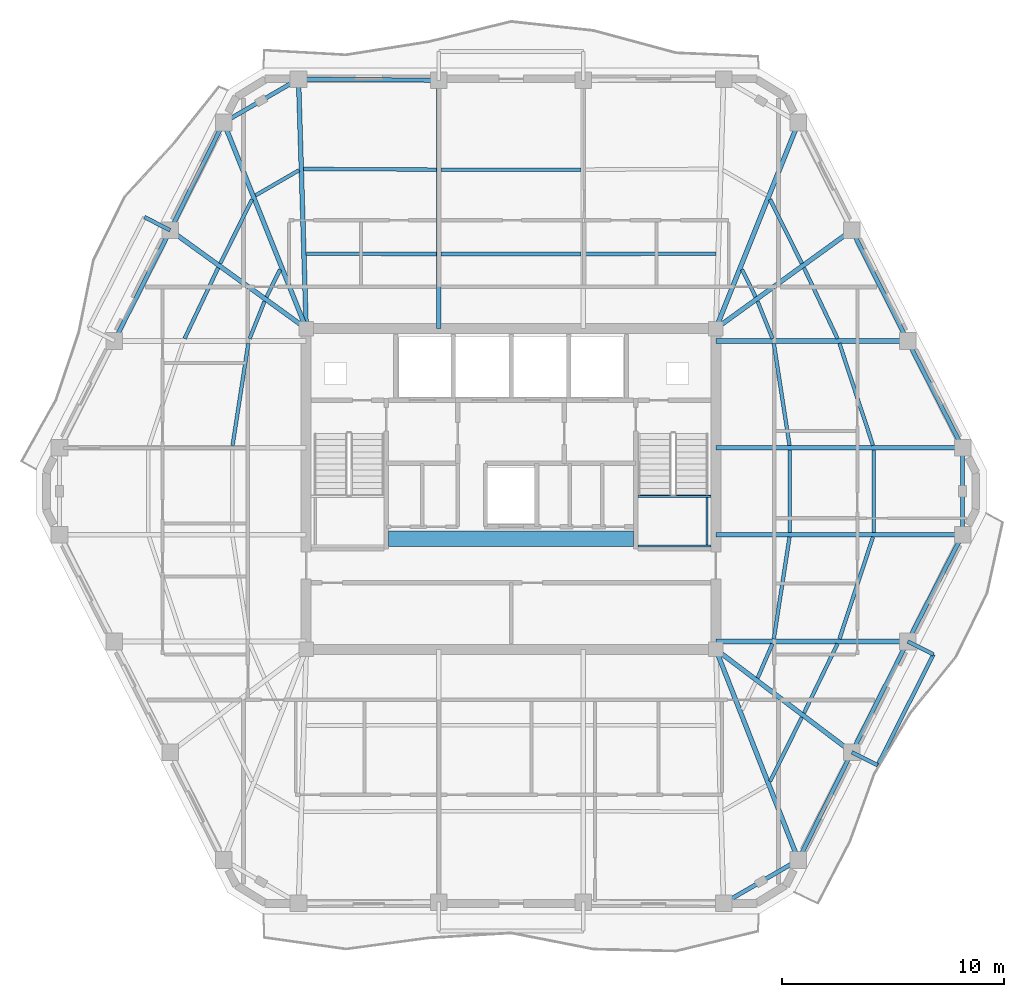
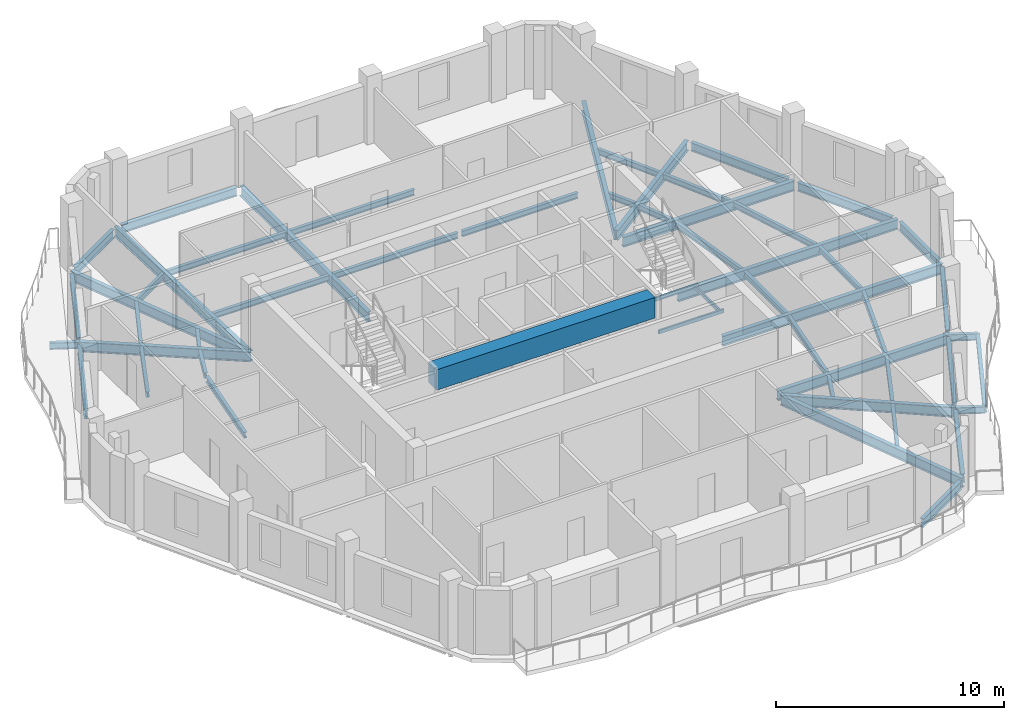
# One storey, part 2 of 11: 55 beams.
"""IFC4 building model written with IfcOpenShell, lengths in metres."""

from ifc_helpers import new_model, si_unit, direction, frame, origin, origin_2d, place, context, subcontext, project, spatial, rectangle, hollow_rectangle, i_section, extrude, material, material_profile, profile_set, type_object, element, save


model = new_model("IFC4")

# Units and contexts
model_context = context("Model", 3, precision=1e-05, world=origin(), true_north=direction((0.0, 1.0)))
body_context = subcontext(model_context, "Body", "Model", "MODEL_VIEW")
ifc_project = project(units=[si_unit("LENGTHUNIT", "METRE"), si_unit("AREAUNIT", "SQUARE_METRE"), si_unit("VOLUMEUNIT", "CUBIC_METRE"), si_unit("PLANEANGLEUNIT", "RADIAN"), si_unit("MASSUNIT", "GRAM", prefix="KILO")], contexts=[model_context])

# Site, building, storey
site_placement = place(None, origin())
site = spatial("IfcSite", under=ifc_project, at=site_placement, CompositionType="ELEMENT")
building_placement = place(site_placement, origin())
building = spatial("IfcBuilding", under=site, at=building_placement, Name="Cinnabar Lancet Tower", CompositionType="ELEMENT")
storey_placement = place(building_placement, frame((0.0, 0.0, 230.64990234375)))
storey = spatial("IfcBuildingStorey", under=building, at=storey_placement, Name="L61", CompositionType="ELEMENT", Elevation=230.64990234375)

# Beams
ifc_material_1 = material(Name="Concrete C70/85", Category="concrete")
ifc_material_profile_1 = material_profile(ifc_material_1, rectangle(XDim=0.699951171875, YDim=1.10009765625, at=origin_2d()), Name="RC-CB 700x1100")
ifc_profile_set_1 = profile_set([ifc_material_profile_1], Name="Concrete C70/85")
beam_type_1 = type_object("IfcBeamType", Name="STR-BM-CB-1100", PredefinedType="BEAM", material=ifc_profile_set_1)
beam_1_placement = place(storey_placement, frame((26.8798828125, 23.64990234375, 2.900146484375), z_axis=(1.0, 0.0, 0.0), x_axis=(0.0, 1.0, 0.0)))
element("IfcBeam", 1, at=beam_1_placement, inside=storey, type_object=beam_type_1, Name="L61 Core Coupling Beam", PredefinedType="BEAM", context=body_context, shape_type="SweptSolid", body=[
    extrude(rectangle(XDim=0.699951171875, YDim=1.10009765625, at=origin_2d()), origin(), (0.0, 0.0, 1.0), 11.0400390625),
])
ifc_material_2 = material(Name="Structural steel S355", Category="steel")
ifc_material_profile_2 = material_profile(ifc_material_2, i_section(OverallWidth=0.1650390625, OverallDepth=0.303466796875, WebThickness=0.006103515625, FlangeThickness=0.01025390625, FilletRadius=0.0087890625, at=origin_2d()), Name="UKB 305x165x40")
ifc_profile_set_2 = profile_set([ifc_material_profile_2], Name="Structural steel S355")
beam_type_2 = type_object("IfcBeamType", Name="STR-BM-JST-305", PredefinedType="JOIST", material=ifc_profile_set_2)
beam_2_placement = place(storey_placement, frame((44.06591796875, 12.73193359375, -0.351806640625), z_axis=(0.444391284604, 0.895832789179, 0.0), x_axis=(-0.895832789179, 0.444391284604, 0.0)))
element("IfcBeam", 2, at=beam_2_placement, inside=storey, type_object=beam_type_2, Name="L61 Secondary Floor Joist 15", PredefinedType="JOIST", context=body_context, shape_type="SweptSolid", body=[
    extrude(i_section(OverallWidth=0.1650390625, OverallDepth=0.303466796875, WebThickness=0.006103515625, FlangeThickness=0.01025390625, FilletRadius=0.0087890625, at=origin_2d()), origin(), (0.0, 0.0, 1.0), 3.220458984375),
])
beam_3_placement = place(storey_placement, frame((45.591064453125, 15.80810546875, -0.351806640625), z_axis=(0.43610936109, 0.899893674369, 0.0), x_axis=(-0.899893674369, 0.43610936109, 0.0)))
element("IfcBeam", 3, at=beam_3_placement, inside=storey, type_object=beam_type_2, Name="L61 Secondary Floor Joist 17", PredefinedType="JOIST", context=body_context, shape_type="SweptSolid", body=[
    extrude(i_section(OverallWidth=0.1650390625, OverallDepth=0.303466796875, WebThickness=0.006103515625, FlangeThickness=0.01025390625, FilletRadius=0.0087890625, at=origin_2d()), origin(), (0.0, 0.0, 1.0), 3.467041015625),
])
beam_4_placement = place(storey_placement, frame((43.5048828125, 17.385009765625, -0.351806640625), z_axis=(0.396302440144, 0.91812002262, 0.0), x_axis=(-0.91812002262, 0.396302440144, 0.0)))
element("IfcBeam", 4, at=beam_4_placement, inside=storey, type_object=beam_type_2, Name="L61 Secondary Floor Joist 18", PredefinedType="JOIST", context=body_context, shape_type="SweptSolid", body=[
    extrude(i_section(OverallWidth=0.1650390625, OverallDepth=0.303466796875, WebThickness=0.006103515625, FlangeThickness=0.01025390625, FilletRadius=0.0087890625, at=origin_2d()), origin(), (0.0, 0.0, 1.0), 1.6806640625),
])
beam_5_placement = place(storey_placement, frame((47.18798828125, 19.137939453125, -0.351806640625), z_axis=(0.312491145371, 0.949920672512, 0.0), x_axis=(-0.949920672512, 0.312491145371, 0.0)))
element("IfcBeam", 5, at=beam_5_placement, inside=storey, type_object=beam_type_2, Name="L61 Secondary Floor Joist 19", PredefinedType="JOIST", context=body_context, shape_type="SweptSolid", body=[
    extrude(i_section(OverallWidth=0.1650390625, OverallDepth=0.303466796875, WebThickness=0.006103515625, FlangeThickness=0.01025390625, FilletRadius=0.0087890625, at=origin_2d()), origin(), (0.0, 0.0, 1.0), 4.8447265625),
])
beam_6_placement = place(storey_placement, frame((44.23291015625, 19.137939453125, -0.351806640625), z_axis=(0.152262059154, 0.988340156698, 0.0), x_axis=(-0.988340156698, 0.152262059154, 0.0)))
element("IfcBeam", 6, at=beam_6_placement, inside=storey, type_object=beam_type_2, Name="L61 Secondary Floor Joist 20", PredefinedType="JOIST", context=body_context, shape_type="SweptSolid", body=[
    extrude(i_section(OverallWidth=0.1650390625, OverallDepth=0.303466796875, WebThickness=0.006103515625, FlangeThickness=0.01025390625, FilletRadius=0.0087890625, at=origin_2d()), origin(), (0.0, 0.0, 1.0), 4.65625),
])
for number, where, z_axis, x_axis, name in (
    (7, (48.737060546875, 23.949951171875, -0.351806640625), (0.0, 1.0, 0.0), (-1.0, 0.0, 0.0), "L61 Secondary Floor Joist 21"),
    (8, (44.958984375, 23.949951171875, -0.351806640625), (0.0, 1.0, 0.0), (-1.0, 0.0, 0.0), "L61 Secondary Floor Joist 22"),
):
    element("IfcBeam", number, at=place(storey_placement, frame(where, z_axis=z_axis, x_axis=x_axis)), inside=storey, type_object=beam_type_2, Name=name, PredefinedType="JOIST", context=body_context, shape_type="SweptSolid", body=[
        extrude(i_section(OverallWidth=0.1650390625, OverallDepth=0.303466796875, WebThickness=0.006103515625, FlangeThickness=0.01025390625, FilletRadius=0.0087890625, at=origin_2d()), origin(), (0.0, 0.0, 1.0), 3.699951171875),
    ])
beam_7_placement = place(storey_placement, frame((48.701904296875, 27.860107421875, -0.351806640625), z_axis=(-0.312506104996, 0.94991575118, 0.0), x_axis=(-0.94991575118, -0.312506104996, 0.0)))
element("IfcBeam", 9, at=beam_7_placement, inside=storey, type_object=beam_type_2, Name="L61 Secondary Floor Joist 23", PredefinedType="JOIST", context=body_context, shape_type="SweptSolid", body=[
    extrude(i_section(OverallWidth=0.1650390625, OverallDepth=0.303466796875, WebThickness=0.006103515625, FlangeThickness=0.01025390625, FilletRadius=0.0087890625, at=origin_2d()), origin(), (0.0, 0.0, 1.0), 4.844482421875),
])
beam_8_placement = place(storey_placement, frame((44.94189453125, 27.860107421875, -0.351806640625), z_axis=(-0.152269949853, 0.988338941038, 0.0), x_axis=(-0.988338941038, -0.152269949853, 0.0)))
element("IfcBeam", 10, at=beam_8_placement, inside=storey, type_object=beam_type_2, Name="L61 Secondary Floor Joist 24", PredefinedType="JOIST", context=body_context, shape_type="SweptSolid", body=[
    extrude(i_section(OverallWidth=0.1650390625, OverallDepth=0.303466796875, WebThickness=0.006103515625, FlangeThickness=0.01025390625, FilletRadius=0.0087890625, at=origin_2d()), origin(), (0.0, 0.0, 1.0), 4.656005859375),
])
beam_9_placement = place(storey_placement, frame((47.10400390625, 32.672119140625, -0.351806640625), z_axis=(-0.428647868514, 0.903471640296, 0.0), x_axis=(-0.903471640296, -0.428647868514, 0.0)))
element("IfcBeam", 11, at=beam_9_placement, inside=storey, type_object=beam_type_2, Name="L61 Secondary Floor Joist 25", PredefinedType="JOIST", context=body_context, shape_type="SweptSolid", body=[
    extrude(i_section(OverallWidth=0.1650390625, OverallDepth=0.303466796875, WebThickness=0.006103515625, FlangeThickness=0.01025390625, FilletRadius=0.0087890625, at=origin_2d()), origin(), (0.0, 0.0, 1.0), 3.53173828125),
])
beam_10_placement = place(storey_placement, frame((44.175048828125, 32.672119140625, -0.351806640625), z_axis=(-0.37155332079, 0.928411616585, 0.0), x_axis=(-0.928411616585, -0.37155332079, 0.0)))
element("IfcBeam", 12, at=beam_10_placement, inside=storey, type_object=beam_type_2, Name="L61 Secondary Floor Joist 26", PredefinedType="JOIST", context=body_context, shape_type="SweptSolid", body=[
    extrude(i_section(OverallWidth=0.1650390625, OverallDepth=0.303466796875, WebThickness=0.006103515625, FlangeThickness=0.01025390625, FilletRadius=0.0087890625, at=origin_2d()), origin(), (0.0, 0.0, 1.0), 1.8115234375),
])
beam_11_placement = place(storey_placement, frame((45.4970703125, 36.054931640625, -0.351806640625), z_axis=(-0.44427059531, 0.895892648783, 0.0), x_axis=(-0.895892648783, -0.44427059531, 0.0)))
element("IfcBeam", 13, at=beam_11_placement, inside=storey, type_object=beam_type_2, Name="L61 Secondary Floor Joist 27", PredefinedType="JOIST", context=body_context, shape_type="SweptSolid", body=[
    extrude(i_section(OverallWidth=0.1650390625, OverallDepth=0.303466796875, WebThickness=0.006103515625, FlangeThickness=0.01025390625, FilletRadius=0.0087890625, at=origin_2d()), origin(), (0.0, 0.0, 1.0), 3.221435546875),
])
beam_12_placement = place(storey_placement, frame((43.4150390625, 34.549072265625, -0.351806640625), z_axis=(-0.444661746427, 0.895698571655, 0.0), x_axis=(-0.895698571655, -0.444661746427, 0.0)))
element("IfcBeam", 14, at=beam_12_placement, inside=storey, type_object=beam_type_2, Name="L61 Secondary Floor Joist 28", PredefinedType="JOIST", context=body_context, shape_type="SweptSolid", body=[
    extrude(i_section(OverallWidth=0.1650390625, OverallDepth=0.303466796875, WebThickness=0.006103515625, FlangeThickness=0.01025390625, FilletRadius=0.0087890625, at=origin_2d()), origin(), (0.0, 0.0, 1.0), 1.378662109375),
])
beam_13_placement = place(storey_placement, frame((41.6240234375, 36.49609375, -0.351806640625), z_axis=(-0.999996226008, -0.002747356738, 0.0), x_axis=(0.002747356738, -0.999996226008, 0.0)))
element("IfcBeam", 15, at=beam_13_placement, inside=storey, type_object=beam_type_2, Name="L61 Secondary Floor Joist 31", PredefinedType="JOIST", context=body_context, shape_type="SweptSolid", body=[
    extrude(i_section(OverallWidth=0.1650390625, OverallDepth=0.303466796875, WebThickness=0.006103515625, FlangeThickness=0.01025390625, FilletRadius=0.0087890625, at=origin_2d()), origin(), (0.0, 0.0, 1.0), 5.864990234375),
])
for number, where, z_axis, x_axis, name in (
    (16, (35.549072265625, 40.281982421875, -0.351806640625), (-1.0, 0.0, 0.0), (0.0, -1.0, 0.0), "L61 Secondary Floor Joist 32"),
    (17, (35.549072265625, 36.47998046875, -0.351806640625), (-1.0, 0.0, 0.0), (0.0, -1.0, 0.0), "L61 Secondary Floor Joist 33"),
):
    element("IfcBeam", number, at=place(storey_placement, frame(where, z_axis=z_axis, x_axis=x_axis)), inside=storey, type_object=beam_type_2, Name=name, PredefinedType="JOIST", context=body_context, shape_type="SweptSolid", body=[
        extrude(i_section(OverallWidth=0.1650390625, OverallDepth=0.303466796875, WebThickness=0.006103515625, FlangeThickness=0.01025390625, FilletRadius=0.0087890625, at=origin_2d()), origin(), (0.0, 0.0, 1.0), 6.298095703125),
    ])
beam_14_placement = place(storey_placement, frame((29.041015625, 40.282958984375, -0.351806640625), z_axis=(-0.999985712428, 0.005345553266, 0.0), x_axis=(-0.005345553266, -0.999985712428, 0.0)))
element("IfcBeam", 18, at=beam_14_placement, inside=storey, type_object=beam_type_2, Name="L61 Secondary Floor Joist 34", PredefinedType="JOIST", context=body_context, shape_type="SweptSolid", body=[
    extrude(i_section(OverallWidth=0.1650390625, OverallDepth=0.303466796875, WebThickness=0.006103515625, FlangeThickness=0.01025390625, FilletRadius=0.0087890625, at=origin_2d()), origin(), (0.0, 0.0, 1.0), 5.98291015625),
])
beam_15_placement = place(storey_placement, frame((29.041015625, 36.47998046875, -0.351806640625), z_axis=(-0.999996226008, 0.002747356738, 0.0), x_axis=(-0.002747356738, -0.999996226008, 0.0)))
element("IfcBeam", 19, at=beam_15_placement, inside=storey, type_object=beam_type_2, Name="L61 Secondary Floor Joist 35", PredefinedType="JOIST", context=body_context, shape_type="SweptSolid", body=[
    extrude(i_section(OverallWidth=0.1650390625, OverallDepth=0.303466796875, WebThickness=0.006103515625, FlangeThickness=0.01025390625, FilletRadius=0.0087890625, at=origin_2d()), origin(), (0.0, 0.0, 1.0), 5.864990234375),
])
beam_16_placement = place(storey_placement, frame((22.85009765625, 40.256103515625, -0.351806640625), z_axis=(-0.865426285481, -0.501036270542, 0.0), x_axis=(0.501036270542, -0.865426285481, 0.0)))
element("IfcBeam", 20, at=beam_16_placement, inside=storey, type_object=beam_type_2, Name="L61 Secondary Floor Joist 36", PredefinedType="JOIST", context=body_context, shape_type="SweptSolid", body=[
    extrude(i_section(OverallWidth=0.1650390625, OverallDepth=0.303466796875, WebThickness=0.006103515625, FlangeThickness=0.01025390625, FilletRadius=0.0087890625, at=origin_2d()), origin(), (0.0, 0.0, 1.0), 2.267333984375),
])
beam_17_placement = place(storey_placement, frame((20.73388671875, 38.94091796875, -0.351806640625), z_axis=(-0.444209762814, -0.89592281287, 0.0), x_axis=(0.89592281287, -0.444209762814, 0.0)))
element("IfcBeam", 21, at=beam_17_placement, inside=storey, type_object=beam_type_2, Name="L61 Secondary Floor Joist 37", PredefinedType="JOIST", context=body_context, shape_type="SweptSolid", body=[
    extrude(i_section(OverallWidth=0.1650390625, OverallDepth=0.303466796875, WebThickness=0.006103515625, FlangeThickness=0.01025390625, FilletRadius=0.0087890625, at=origin_2d()), origin(), (0.0, 0.0, 1.0), 3.22119140625),
])
beam_18_placement = place(storey_placement, frame((21.998046875, 35.783935546875, -0.351806640625), z_axis=(-0.444661746427, -0.895698571655, 0.0), x_axis=(0.895698571655, -0.444661746427, 0.0)))
element("IfcBeam", 22, at=beam_18_placement, inside=storey, type_object=beam_type_2, Name="L61 Secondary Floor Joist 38", PredefinedType="JOIST", context=body_context, shape_type="SweptSolid", body=[
    extrude(i_section(OverallWidth=0.1650390625, OverallDepth=0.303466796875, WebThickness=0.006103515625, FlangeThickness=0.01025390625, FilletRadius=0.0087890625, at=origin_2d()), origin(), (0.0, 0.0, 1.0), 1.378662109375),
])
beam_19_placement = place(storey_placement, frame((19.2099609375, 35.863037109375, -0.351806640625), z_axis=(-0.428647868514, -0.903471640296, 0.0), x_axis=(0.903471640296, -0.428647868514, 0.0)))
element("IfcBeam", 23, at=beam_19_placement, inside=storey, type_object=beam_type_2, Name="L61 Secondary Floor Joist 39", PredefinedType="JOIST", context=body_context, shape_type="SweptSolid", body=[
    extrude(i_section(OverallWidth=0.1650390625, OverallDepth=0.303466796875, WebThickness=0.006103515625, FlangeThickness=0.01025390625, FilletRadius=0.0087890625, at=origin_2d()), origin(), (0.0, 0.0, 1.0), 3.53173828125),
])
beam_20_placement = place(storey_placement, frame((21.298095703125, 34.35400390625, -0.351806640625), z_axis=(-0.37155332079, -0.928411616585, 0.0), x_axis=(0.928411616585, -0.37155332079, 0.0)))
element("IfcBeam", 24, at=beam_20_placement, inside=storey, type_object=beam_type_2, Name="L61 Secondary Floor Joist 40", PredefinedType="JOIST", context=body_context, shape_type="SweptSolid", body=[
    extrude(i_section(OverallWidth=0.1650390625, OverallDepth=0.303466796875, WebThickness=0.006103515625, FlangeThickness=0.01025390625, FilletRadius=0.0087890625, at=origin_2d()), origin(), (0.0, 0.0, 1.0), 1.8115234375),
])
beam_21_placement = place(storey_placement, frame((20.56689453125, 32.4619140625, -0.351806640625), z_axis=(-0.152269949853, -0.988338941038, 0.0), x_axis=(0.988338941038, -0.152269949853, 0.0)))
element("IfcBeam", 25, at=beam_21_placement, inside=storey, type_object=beam_type_2, Name="L61 Secondary Floor Joist 42", PredefinedType="JOIST", context=body_context, shape_type="SweptSolid", body=[
    extrude(i_section(OverallWidth=0.1650390625, OverallDepth=0.303466796875, WebThickness=0.006103515625, FlangeThickness=0.01025390625, FilletRadius=0.0087890625, at=origin_2d()), origin(), (0.0, 0.0, 1.0), 4.656005859375),
])
ifc_material_3 = material(Name="Structural steel S355", Category="steel")
ifc_material_profile_3 = material_profile(ifc_material_3, hollow_rectangle(XDim=0.10009765625, YDim=0.199951171875, WallThickness=0.008056640625, InnerFilletRadius=0.00390625, OuterFilletRadius=0.011962890625, at=origin_2d()), Name="RHS 200x100x8")
ifc_profile_set_3 = profile_set([ifc_material_profile_3], Name="Structural steel S355")
beam_type_3 = type_object("IfcBeamType", Name="STR-BM-LND-203", PredefinedType="BEAM", material=ifc_profile_set_3)
for number, where, z_axis, x_axis, name in (
    (26, (38.1201171875, 23.330078125, 1.525146484375), (1.0, 0.0, 0.0), (0.0, 1.0, 0.0), "L61 ST-2-L61 Landing Support Beam S"),
    (27, (38.1201171875, 25.570068359375, 1.525146484375), (1.0, 0.0, 0.0), (0.0, 1.0, 0.0), "L61 ST-2-L61 Landing Support Beam N"),
):
    element("IfcBeam", number, at=place(storey_placement, frame(where, z_axis=z_axis, x_axis=x_axis)), inside=storey, type_object=beam_type_3, Name=name, PredefinedType="BEAM", context=body_context, shape_type="SweptSolid", body=[
        extrude(hollow_rectangle(XDim=0.10009765625, YDim=0.199951171875, WallThickness=0.008056640625, InnerFilletRadius=0.00390625, OuterFilletRadius=0.011962890625, at=origin_2d()), origin(), (0.0, 0.0, 1.0), 3.27978515625),
    ])
beam_22_placement = place(storey_placement, frame((41.219970703125, 23.3798828125, 1.525146484375), z_axis=(0.0, 1.0, 0.0), x_axis=(-1.0, 0.0, 0.0)))
element("IfcBeam", 28, at=beam_22_placement, inside=storey, type_object=beam_type_3, Name="L61 ST-2-L61 Landing Side Trimmer Beam", PredefinedType="BEAM", context=body_context, shape_type="SweptSolid", body=[
    extrude(hollow_rectangle(XDim=0.10009765625, YDim=0.199951171875, WallThickness=0.008056640625, InnerFilletRadius=0.00390625, OuterFilletRadius=0.011962890625, at=origin_2d()), origin(), (0.0, 0.0, 1.0), 2.14013671875),
])
ifc_material_4 = material(Name="Structural steel S355", Category="steel")
ifc_material_profile_4 = material_profile(ifc_material_4, i_section(OverallWidth=0.1904296875, OverallDepth=0.45703125, WebThickness=0.009033203125, FlangeThickness=0.014404296875, FilletRadius=0.01025390625, at=origin_2d()), Name="UKB 457x191x74")
ifc_profile_set_4 = profile_set([ifc_material_profile_4], Name="Structural steel S355")
beam_type_4 = type_object("IfcBeamType", Name="STR-BM-SPN-457", PredefinedType="SPANDREL", material=ifc_profile_set_4)
beam_23_placement = place(storey_placement, frame((42.18798828125, 7.364013671875, -0.428955078125), z_axis=(0.865230894194, 0.50137361292, 0.0), x_axis=(-0.50137361292, 0.865230894194, 0.0)))
element("IfcBeam", 29, at=beam_23_placement, inside=storey, type_object=beam_type_4, Name="L61 Perimeter Spandrel 4", PredefinedType="SPANDREL", context=body_context, shape_type="SweptSolid", body=[
    extrude(i_section(OverallWidth=0.1904296875, OverallDepth=0.45703125, WebThickness=0.009033203125, FlangeThickness=0.014404296875, FilletRadius=0.01025390625, at=origin_2d()), origin(), (0.0, 0.0, 1.0), 3.39453125),
])
beam_24_placement = place(storey_placement, frame((45.451904296875, 9.4150390625, -0.428955078125), z_axis=(0.444372599207, 0.895842058107, 0.0), x_axis=(-0.895842058107, 0.444372599207, 0.0)))
element("IfcBeam", 30, at=beam_24_placement, inside=storey, type_object=beam_type_4, Name="L61 Perimeter Spandrel 5", PredefinedType="SPANDREL", context=body_context, shape_type="SweptSolid", body=[
    extrude(i_section(OverallWidth=0.1904296875, OverallDepth=0.45703125, WebThickness=0.009033203125, FlangeThickness=0.014404296875, FilletRadius=0.01025390625, at=origin_2d()), origin(), (0.0, 0.0, 1.0), 4.91943359375),
])
beam_25_placement = place(storey_placement, frame((47.862060546875, 14.26904296875, -0.428955078125), z_axis=(0.450091864122, 0.892982258419, 0.0), x_axis=(-0.892982258419, 0.450091864122, 0.0)))
element("IfcBeam", 31, at=beam_25_placement, inside=storey, type_object=beam_type_4, Name="L61 Perimeter Spandrel 6", PredefinedType="SPANDREL", context=body_context, shape_type="SweptSolid", body=[
    extrude(i_section(OverallWidth=0.1904296875, OverallDepth=0.45703125, WebThickness=0.009033203125, FlangeThickness=0.014404296875, FilletRadius=0.01025390625, at=origin_2d()), origin(), (0.0, 0.0, 1.0), 5.085205078125),
])
beam_26_placement = place(storey_placement, frame((50.3779296875, 19.2548828125, -0.428955078125), z_axis=(0.457127852293, 0.889400993174, 0.0), x_axis=(-0.889400993174, 0.457127852293, 0.0)))
element("IfcBeam", 32, at=beam_26_placement, inside=storey, type_object=beam_type_4, Name="L61 Perimeter Spandrel 7", PredefinedType="SPANDREL", context=body_context, shape_type="SweptSolid", body=[
    extrude(i_section(OverallWidth=0.1904296875, OverallDepth=0.45703125, WebThickness=0.009033203125, FlangeThickness=0.014404296875, FilletRadius=0.01025390625, at=origin_2d()), origin(), (0.0, 0.0, 1.0), 4.911376953125),
])
beam_27_placement = place(storey_placement, frame((52.737060546875, 24.094970703125, -0.428955078125), z_axis=(0.0, 1.0, 0.0), x_axis=(-1.0, 0.0, 0.0)))
element("IfcBeam", 33, at=beam_27_placement, inside=storey, type_object=beam_type_4, Name="L61 Perimeter Spandrel 8", PredefinedType="SPANDREL", context=body_context, shape_type="SweptSolid", body=[
    extrude(i_section(OverallWidth=0.1904296875, OverallDepth=0.45703125, WebThickness=0.009033203125, FlangeThickness=0.014404296875, FilletRadius=0.01025390625, at=origin_2d()), origin(), (0.0, 0.0, 1.0), 3.409912109375),
])
beam_28_placement = place(storey_placement, frame((52.623046875, 27.97705078125, -0.428955078125), z_axis=(-0.457148063427, 0.889390604912, 0.0), x_axis=(-0.889390604912, -0.457148063427, 0.0)))
element("IfcBeam", 34, at=beam_28_placement, inside=storey, type_object=beam_type_4, Name="L61 Perimeter Spandrel 9", PredefinedType="SPANDREL", context=body_context, shape_type="SweptSolid", body=[
    extrude(i_section(OverallWidth=0.1904296875, OverallDepth=0.45703125, WebThickness=0.009033203125, FlangeThickness=0.014404296875, FilletRadius=0.01025390625, at=origin_2d()), origin(), (0.0, 0.0, 1.0), 4.9111328125),
])
beam_29_placement = place(storey_placement, frame((50.15087890625, 32.7900390625, -0.428955078125), z_axis=(-0.450091864122, 0.892982258419, 0.0), x_axis=(-0.892982258419, -0.450091864122, 0.0)))
element("IfcBeam", 35, at=beam_29_placement, inside=storey, type_object=beam_type_4, Name="L61 Perimeter Spandrel 10", PredefinedType="SPANDREL", context=body_context, shape_type="SweptSolid", body=[
    extrude(i_section(OverallWidth=0.1904296875, OverallDepth=0.45703125, WebThickness=0.009033203125, FlangeThickness=0.014404296875, FilletRadius=0.01025390625, at=origin_2d()), origin(), (0.0, 0.0, 1.0), 5.085205078125),
])
beam_30_placement = place(storey_placement, frame((28.89599609375, 44.31005859375, -0.428955078125), z_axis=(-0.999964785419, 0.008392134492, 0.0), x_axis=(-0.008392134492, -0.999964785419, 0.0)))
element("IfcBeam", 36, at=beam_30_placement, inside=storey, type_object=beam_type_4, Name="L61 Perimeter Spandrel 15", PredefinedType="SPANDREL", context=body_context, shape_type="SweptSolid", body=[
    extrude(i_section(OverallWidth=0.1904296875, OverallDepth=0.45703125, WebThickness=0.009033203125, FlangeThickness=0.014404296875, FilletRadius=0.01025390625, at=origin_2d()), origin(), (0.0, 0.0, 1.0), 5.818359375),
])
beam_31_placement = place(storey_placement, frame((22.612060546875, 44.236083984375, -0.428955078125), z_axis=(-0.865199693264, -0.501427453153, 0.0), x_axis=(0.501427453153, -0.865199693264, 0.0)))
element("IfcBeam", 37, at=beam_31_placement, inside=storey, type_object=beam_type_4, Name="L61 Perimeter Spandrel 16", PredefinedType="SPANDREL", context=body_context, shape_type="SweptSolid", body=[
    extrude(i_section(OverallWidth=0.1904296875, OverallDepth=0.45703125, WebThickness=0.009033203125, FlangeThickness=0.014404296875, FilletRadius=0.01025390625, at=origin_2d()), origin(), (0.0, 0.0, 1.0), 3.39453125),
])
beam_32_placement = place(storey_placement, frame((19.347900390625, 42.18505859375, -0.428955078125), z_axis=(-0.44433276947, -0.895861814107, 0.0), x_axis=(0.895861814107, -0.44433276947, 0.0)))
element("IfcBeam", 38, at=beam_32_placement, inside=storey, type_object=beam_type_4, Name="L61 Perimeter Spandrel 17", PredefinedType="SPANDREL", context=body_context, shape_type="SweptSolid", body=[
    extrude(i_section(OverallWidth=0.1904296875, OverallDepth=0.45703125, WebThickness=0.009033203125, FlangeThickness=0.014404296875, FilletRadius=0.01025390625, at=origin_2d()), origin(), (0.0, 0.0, 1.0), 4.919189453125),
])
beam_33_placement = place(storey_placement, frame((16.93798828125, 37.3310546875, -0.428955078125), z_axis=(-0.450130146726, -0.892962961722, 0.0), x_axis=(0.892962961722, -0.450130146726, 0.0)))
element("IfcBeam", 39, at=beam_33_placement, inside=storey, type_object=beam_type_4, Name="L61 Perimeter Spandrel 18", PredefinedType="SPANDREL", context=body_context, shape_type="SweptSolid", body=[
    extrude(i_section(OverallWidth=0.1904296875, OverallDepth=0.45703125, WebThickness=0.009033203125, FlangeThickness=0.014404296875, FilletRadius=0.01025390625, at=origin_2d()), origin(), (0.0, 0.0, 1.0), 5.08544921875),
])
ifc_material_5 = material(Name="Structural steel S355", Category="steel")
ifc_material_profile_5 = material_profile(ifc_material_5, i_section(OverallWidth=0.209228515625, OverallDepth=0.533203125, WebThickness=0.010009765625, FlangeThickness=0.015625, FilletRadius=0.0126953125, at=origin_2d()), Name="UKB 533x210x92")
ifc_profile_set_5 = profile_set([ifc_material_profile_5], Name="Structural steel S355")
beam_type_5 = type_object("IfcBeamType", Name="STR-BM-UKB533-92", PredefinedType="BEAM", material=ifc_profile_set_5)
beam_34_placement = place(storey_placement, frame((47.7490234375, 14.0458984375, -0.466796875), z_axis=(-0.797735075719, 0.603008083667, 0.0), x_axis=(-0.603008083667, -0.797735075719, 0.0)))
element("IfcBeam", 40, at=beam_34_placement, inside=storey, type_object=beam_type_5, Name="L61 Corner Collector Girder 2", PredefinedType="BEAM", context=body_context, shape_type="SweptSolid", body=[
    extrude(i_section(OverallWidth=0.209228515625, OverallDepth=0.533203125, WebThickness=0.010009765625, FlangeThickness=0.015625, FilletRadius=0.0126953125, at=origin_2d()), origin(), (0.0, 0.0, 1.0), 7.6767578125),
])
for number, where, z_axis, x_axis, name in (
    (41, (47.7490234375, 37.553955078125, -0.466796875), (-0.810299148474, -0.586016458797, 0.0), (0.586016458797, -0.810299148474, 0.0), "L61 Corner Collector Girder 3"),
    (42, (17.051025390625, 37.553955078125, -0.466796875), (0.810299148474, -0.586016458797, 0.0), (0.586016458797, 0.810299148474, 0.0), "L61 Corner Collector Girder 4"),
):
    element("IfcBeam", number, at=place(storey_placement, frame(where, z_axis=z_axis, x_axis=x_axis)), inside=storey, type_object=beam_type_5, Name=name, PredefinedType="BEAM", context=body_context, shape_type="SweptSolid", body=[
        extrude(i_section(OverallWidth=0.209228515625, OverallDepth=0.533203125, WebThickness=0.010009765625, FlangeThickness=0.015625, FilletRadius=0.0126953125, at=origin_2d()), origin(), (0.0, 0.0, 1.0), 7.5576171875),
    ])
beam_35_placement = place(storey_placement, frame((45.341064453125, 9.19091796875, -0.466796875), z_axis=(-0.364815017375, 0.931080019707, 0.0), x_axis=(-0.931080019707, -0.364815017375, 0.0)))
element("IfcBeam", 43, at=beam_35_placement, inside=storey, type_object=beam_type_5, Name="L61 Primary Floor Girder 5", PredefinedType="BEAM", context=body_context, shape_type="SweptSolid", body=[
    extrude(i_section(OverallWidth=0.209228515625, OverallDepth=0.533203125, WebThickness=0.010009765625, FlangeThickness=0.015625, FilletRadius=0.0126953125, at=origin_2d()), origin(), (0.0, 0.0, 1.0), 10.186279296875),
])
beam_36_placement = place(storey_placement, frame((50.263916015625, 19.032958984375, -0.466796875), z_axis=(-1.0, 0.0, 0.0), x_axis=(0.0, -1.0, 0.0)))
element("IfcBeam", 44, at=beam_36_placement, inside=storey, type_object=beam_type_5, Name="L61 Primary Floor Girder 7", PredefinedType="BEAM", context=body_context, shape_type="SweptSolid", body=[
    extrude(i_section(OverallWidth=0.209228515625, OverallDepth=0.533203125, WebThickness=0.010009765625, FlangeThickness=0.015625, FilletRadius=0.0126953125, at=origin_2d()), origin(), (0.0, 0.0, 1.0), 8.638916015625),
])
for number, where, z_axis, x_axis, name in (
    (45, (52.737060546875, 23.844970703125, -0.466796875), (-1.0, 0.0, 0.0), (0.0, -1.0, 0.0), "L61 Primary Floor Girder 8"),
    (46, (52.737060546875, 27.7548828125, -0.466796875), (-1.0, 0.0, 0.0), (0.0, -1.0, 0.0), "L61 Primary Floor Girder 9"),
):
    element("IfcBeam", number, at=place(storey_placement, frame(where, z_axis=z_axis, x_axis=x_axis)), inside=storey, type_object=beam_type_5, Name=name, PredefinedType="BEAM", context=body_context, shape_type="SweptSolid", body=[
        extrude(i_section(OverallWidth=0.209228515625, OverallDepth=0.533203125, WebThickness=0.010009765625, FlangeThickness=0.015625, FilletRadius=0.0126953125, at=origin_2d()), origin(), (0.0, 0.0, 1.0), 11.112060546875),
    ])
beam_37_placement = place(storey_placement, frame((50.263916015625, 32.56689453125, -0.466796875), z_axis=(-1.0, 0.0, 0.0), x_axis=(0.0, -1.0, 0.0)))
element("IfcBeam", 47, at=beam_37_placement, inside=storey, type_object=beam_type_5, Name="L61 Primary Floor Girder 10", PredefinedType="BEAM", context=body_context, shape_type="SweptSolid", body=[
    extrude(i_section(OverallWidth=0.209228515625, OverallDepth=0.533203125, WebThickness=0.010009765625, FlangeThickness=0.015625, FilletRadius=0.0126953125, at=origin_2d()), origin(), (0.0, 0.0, 1.0), 8.638916015625),
])
beam_38_placement = place(storey_placement, frame((45.341064453125, 42.408935546875, -0.466796875), z_axis=(-0.371605341166, -0.928390796172, 0.0), x_axis=(0.928390796172, -0.371605341166, 0.0)))
element("IfcBeam", 48, at=beam_38_placement, inside=storey, type_object=beam_type_5, Name="L61 Primary Floor Girder 12", PredefinedType="BEAM", context=body_context, shape_type="SweptSolid", body=[
    extrude(i_section(OverallWidth=0.209228515625, OverallDepth=0.533203125, WebThickness=0.010009765625, FlangeThickness=0.015625, FilletRadius=0.0126953125, at=origin_2d()), origin(), (0.0, 0.0, 1.0), 10.0),
])
beam_39_placement = place(storey_placement, frame((29.14599609375, 44.30810546875, -0.466796875), z_axis=(0.0, -1.0, 0.0), x_axis=(1.0, 0.0, 0.0)))
element("IfcBeam", 49, at=beam_39_placement, inside=storey, type_object=beam_type_5, Name="L61 Primary Floor Girder 15", PredefinedType="BEAM", context=body_context, shape_type="SweptSolid", body=[
    extrude(i_section(OverallWidth=0.209228515625, OverallDepth=0.533203125, WebThickness=0.010009765625, FlangeThickness=0.015625, FilletRadius=0.0126953125, at=origin_2d()), origin(), (0.0, 0.0, 1.0), 11.18310546875),
])
beam_40_placement = place(storey_placement, frame((22.827880859375, 44.361083984375, -0.466796875), z_axis=(0.030882856862, -0.999523010817, 0.0), x_axis=(0.999523010817, 0.030882856862, 0.0)))
element("IfcBeam", 50, at=beam_40_placement, inside=storey, type_object=beam_type_5, Name="L61 Primary Floor Girder 16", PredefinedType="BEAM", context=body_context, shape_type="SweptSolid", body=[
    extrude(i_section(OverallWidth=0.209228515625, OverallDepth=0.533203125, WebThickness=0.010009765625, FlangeThickness=0.015625, FilletRadius=0.0126953125, at=origin_2d()), origin(), (0.0, 0.0, 1.0), 11.241455078125),
])
beam_41_placement = place(storey_placement, frame((19.458984375, 42.408935546875, -0.466796875), z_axis=(0.371605341166, -0.928390796172, 0.0), x_axis=(0.928390796172, 0.371605341166, 0.0)))
element("IfcBeam", 51, at=beam_41_placement, inside=storey, type_object=beam_type_5, Name="L61 Primary Floor Girder 17", PredefinedType="BEAM", context=body_context, shape_type="SweptSolid", body=[
    extrude(i_section(OverallWidth=0.209228515625, OverallDepth=0.533203125, WebThickness=0.010009765625, FlangeThickness=0.015625, FilletRadius=0.0126953125, at=origin_2d()), origin(), (0.0, 0.0, 1.0), 10.0),
])
ifc_material_6 = material(Name="Structural steel S355", Category="steel")
ifc_material_profile_6 = material_profile(ifc_material_6, i_section(OverallWidth=0.17138671875, OverallDepth=0.35498046875, WebThickness=0.00732421875, FlangeThickness=0.011474609375, FilletRadius=0.01025390625, at=origin_2d()), Name="UKB 356x171x51")
ifc_profile_set_6 = profile_set([ifc_material_profile_6], Name="Structural steel S355")
beam_type_6 = type_object("IfcBeamType", Name="STR-BM-WAV-OUT", PredefinedType="BEAM", material=ifc_profile_set_6)
for number, where, z_axis, x_axis, name in (
    (52, (47.7490234375, 14.0458984375, -0.39794921875), (0.89227592947, -0.451490493464, 0.0), (0.451490493464, 0.89227592947, 0.0), "L61 Face 2 Balcony Outlooker A"),
    (53, (50.263916015625, 19.032958984375, -0.39794921875), (0.892314203325, -0.451414845285, 0.0), (0.451414845285, 0.892314203325, 0.0), "L61 Face 2 Balcony Outlooker B"),
    (54, (17.051025390625, 37.553955078125, -0.39794921875), (-0.892200264127, 0.451639998995, 0.0), (-0.451639998995, -0.892200264127, 0.0), "L61 Face 5 Balcony Outlooker A"),
):
    element("IfcBeam", number, at=place(storey_placement, frame(where, z_axis=z_axis, x_axis=x_axis)), inside=storey, type_object=beam_type_6, Name=name, PredefinedType="BEAM", context=body_context, shape_type="SweptSolid", body=[
        extrude(i_section(OverallWidth=0.17138671875, OverallDepth=0.35498046875, WebThickness=0.00732421875, FlangeThickness=0.011474609375, FilletRadius=0.01025390625, at=origin_2d()), origin(), (0.0, 0.0, 1.0), 1.300048828125),
    ])
ifc_material_7 = material(Name="Structural steel S355", Category="steel")
ifc_material_profile_7 = material_profile(ifc_material_7, i_section(OverallWidth=0.17138671875, OverallDepth=0.35498046875, WebThickness=0.00732421875, FlangeThickness=0.011474609375, FilletRadius=0.01025390625, at=origin_2d()), Name="UKB 356x171x51")
ifc_profile_set_7 = profile_set([ifc_material_profile_7], Name="Structural steel S355")
beam_type_7 = type_object("IfcBeamType", Name="STR-BM-WAV-TRIM", PredefinedType="SPANDREL", material=ifc_profile_set_7)
beam_42_placement = place(storey_placement, frame((48.908935546875, 13.458984375, -0.39794921875), z_axis=(0.450305622338, 0.892874485295, 0.0), x_axis=(-0.892874485295, 0.450305622338, 0.0)))
element("IfcBeam", 55, at=beam_42_placement, inside=storey, type_object=beam_type_7, Name="L61 Face 2 Balcony Edge Trimmer", PredefinedType="SPANDREL", context=body_context, shape_type="SweptSolid", body=[
    extrude(i_section(OverallWidth=0.17138671875, OverallDepth=0.35498046875, WebThickness=0.00732421875, FlangeThickness=0.011474609375, FilletRadius=0.01025390625, at=origin_2d()), origin(), (0.0, 0.0, 1.0), 5.58544921875),
])

save(model, "model.ifc")
